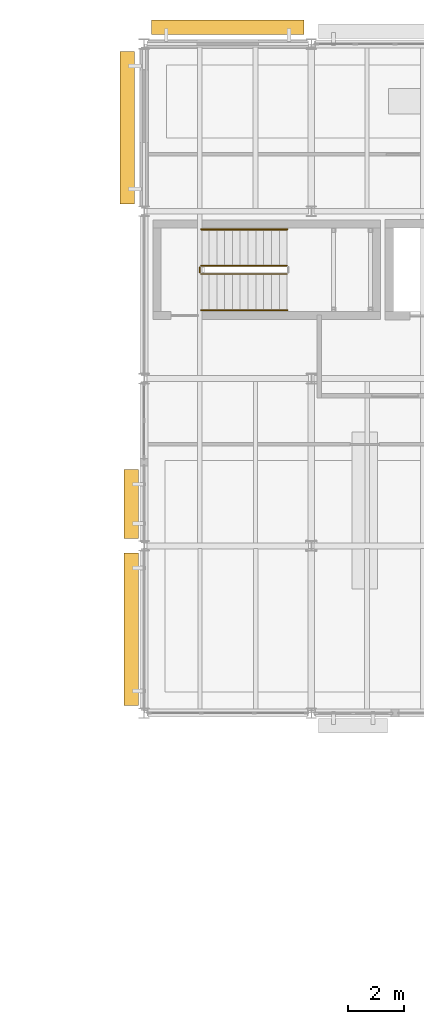
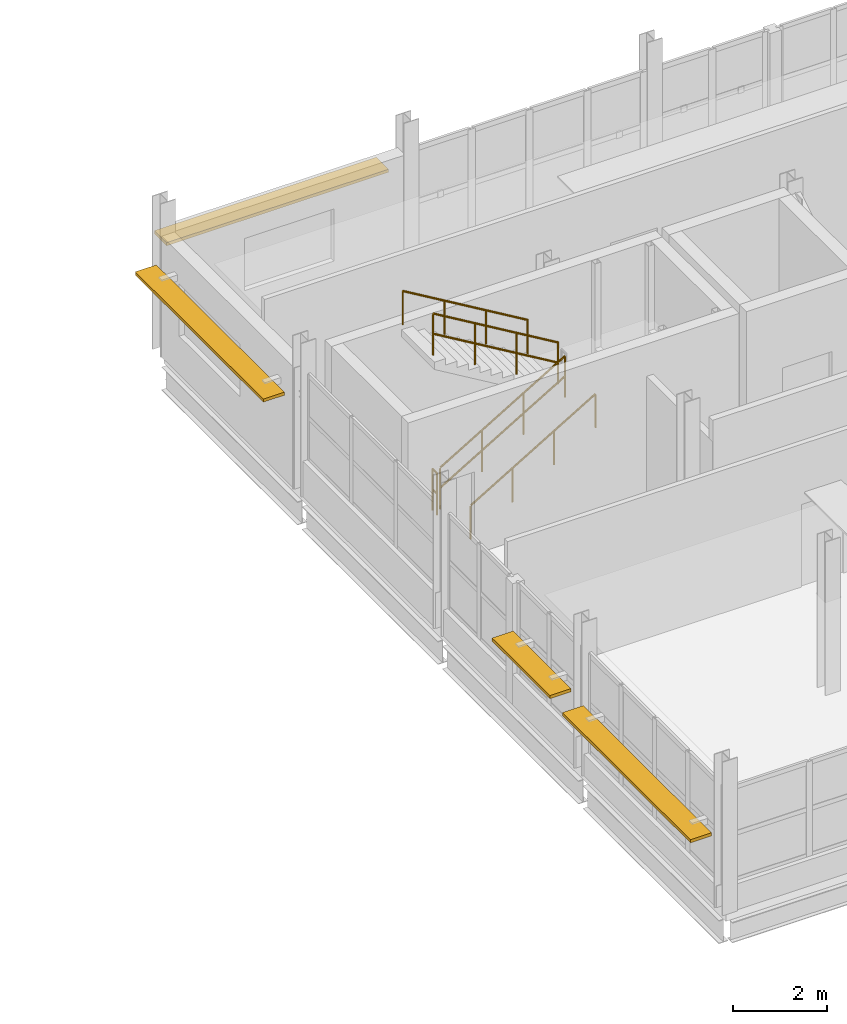
# One storey, part 89 of 92: 5 railings, 4 shading devices.
"""IFC4 building model written with IfcOpenShell, lengths in metres."""

import ifcopenshell
import ifcopenshell.guid

model = None  # the IFC model being written
_history = None  # IfcOwnerHistory: only IFC2X3 demands one
_inside = {}  # id of a spatial element -> (the spatial element, [elements in it])
_under = {}  # id of a project, library or spatial element -> (it, [spatial elements below it])
_declared = {}  # id of a project -> (the project, [libraries it declares])
_typed = {}  # id of a type object -> (the type object, [elements of that type])
_made_of = {}  # id of a material, layer set ... -> (it, [elements and type objects made of it])


def new_model(schema):
    """Start an empty IFC model of exactly this schema.

    Asked for "IFC4X3", IfcOpenShell would pick the latest addendum, in which some entities
    have other attributes; the version numbers below select the first issue.
    IFC2X3 requires an IfcOwnerHistory on every rooted entity: one is made here for all.
    """
    global model, _history
    if schema == "IFC4X3":
        model = ifcopenshell.file(schema_version=(4, 3, 0, 0))
    else:
        model = ifcopenshell.file(schema=schema)
    _inside.clear()
    _under.clear()
    _declared.clear()
    _typed.clear()
    _made_of.clear()
    _history = None
    if model.schema == "IFC2X3":
        org = make("IfcOrganization", Name="unknown")
        user = make(
            "IfcPersonAndOrganization",
            ThePerson=make("IfcPerson", FamilyName="unknown"),
            TheOrganization=org,
        )
        app = make(
            "IfcApplication",
            ApplicationDeveloper=org,
            Version="unknown",
            ApplicationFullName="unknown",
            ApplicationIdentifier="unknown",
        )
        _history = make(
            "IfcOwnerHistory",
            OwningUser=user,
            OwningApplication=app,
            ChangeAction="ADDED",
            CreationDate=0,
        )
    return model


def make(cls, **values):
    """One entity of the class cls with the attributes given. An attribute that is None is left unset."""
    return model.create_entity(
        cls, **{name: value for name, value in values.items() if value is not None}
    )


def rooted(cls, **values):
    """An entity with a GlobalId (a new one), such as an element, a storey or a relation."""
    return make(cls, GlobalId=ifcopenshell.guid.new(), OwnerHistory=_history, **values)


def si_unit(unit_type, name, prefix=None):
    """IfcSIUnit, for example si_unit("LENGTHUNIT", "METRE", prefix="MILLI")."""
    return make("IfcSIUnit", UnitType=unit_type, Prefix=prefix, Name=name)


def assignment(units):
    """IfcUnitAssignment: the units of a project."""
    return None if units is None else make("IfcUnitAssignment", Units=units)


def point(xyz):
    """IfcCartesianPoint."""
    return None if xyz is None else make("IfcCartesianPoint", Coordinates=xyz)


def direction(xyz):
    """IfcDirection."""
    return None if xyz is None else make("IfcDirection", DirectionRatios=xyz)


def frame(location, z_axis=None, x_axis=None):
    """IfcAxis2Placement3D, a coordinate frame: its origin and axes. An axis left out is left unset."""
    return make(
        "IfcAxis2Placement3D",
        Location=point(location),
        Axis=direction(z_axis),
        RefDirection=direction(x_axis),
    )


def frame_2d(location, x_axis=None):
    """IfcAxis2Placement2D, a coordinate frame in the plane: its origin and x axis."""
    return make(
        "IfcAxis2Placement2D", Location=point(location), RefDirection=direction(x_axis)
    )


def origin():
    """The frame at (0, 0, 0) with its axes left unset."""
    return frame((0.0, 0.0, 0.0))


def origin_2d():
    """The frame at (0, 0) in the plane with its x axis left unset."""
    return frame_2d((0.0, 0.0))


def place(relative_to, where):
    """IfcLocalPlacement: puts the frame where relative to a parent placement (None: the world)."""
    return make(
        "IfcLocalPlacement", PlacementRelTo=relative_to, RelativePlacement=where
    )


def context(
    kind, dimensions, precision=None, world=None, true_north=None, identifier=None
):
    """IfcGeometricRepresentationContext, for example the 3D "Model" context."""
    return make(
        "IfcGeometricRepresentationContext",
        ContextIdentifier=identifier,
        ContextType=kind,
        CoordinateSpaceDimension=dimensions,
        Precision=precision,
        WorldCoordinateSystem=world,
        TrueNorth=true_north,
    )


def subcontext(parent, identifier, kind, view, scale=None):
    """IfcGeometricRepresentationSubContext, for example "Body" below "Model"."""
    return make(
        "IfcGeometricRepresentationSubContext",
        ContextIdentifier=identifier,
        ContextType=kind,
        ParentContext=parent,
        TargetScale=scale,
        TargetView=view,
    )


def project(units=None, contexts=None):
    """IfcProject with its units and contexts."""
    return rooted(
        "IfcProject",
        Name="project",
        RepresentationContexts=contexts,
        UnitsInContext=assignment(units),
    )


def spatial(cls, under=None, at=None, **own):
    """A site, building, storey or space (cls), placed at a placement, below another one or the project."""
    s = rooted(cls, ObjectPlacement=at, **own)
    if under is not None:
        _under.setdefault(under.id(), (under, []))[1].append(s)
    return s


def profile(cls, at=None, kind="AREA", **sizes):
    """A parametric profile (cls). Its sizes go by their IFC names, for example OverallWidth=200.0."""
    return make(cls, ProfileType=kind, Position=at, **sizes)


def rectangle(**sizes):
    """IfcRectangleProfileDef."""
    return profile("IfcRectangleProfileDef", **sizes)


def circle(**sizes):
    """IfcCircleProfileDef."""
    return profile("IfcCircleProfileDef", **sizes)


def extrude(swept, where, along, depth):
    """IfcExtrudedAreaSolid: the profile swept, set in the frame where, extruded along a direction by depth."""
    return make(
        "IfcExtrudedAreaSolid",
        SweptArea=swept,
        Position=where,
        ExtrudedDirection=direction(along),
        Depth=depth,
    )


def shape(context_of_items, identifier, shape_type, items):
    """IfcShapeRepresentation: the items that make up one representation, for example the "Body"."""
    return make(
        "IfcShapeRepresentation",
        ContextOfItems=context_of_items,
        RepresentationIdentifier=identifier,
        RepresentationType=shape_type,
        Items=items,
    )


def material(Name=None, Category=None):
    """IfcMaterial."""
    return make("IfcMaterial", Name=Name, Category=Category)


def layer(
    of_material, thickness, ventilated=None, Name=None, Category=None, Priority=None
):
    """IfcMaterialLayer: one layer of a wall or slab, of a material (None: an air gap)."""
    return make(
        "IfcMaterialLayer",
        Material=of_material,
        LayerThickness=thickness,
        IsVentilated=ventilated,
        Name=Name,
        Category=Category,
        Priority=Priority,
    )


def layer_set(layers, Name=None):
    """IfcMaterialLayerSet."""
    return make("IfcMaterialLayerSet", MaterialLayers=layers, LayerSetName=Name)


def made_of(thing, what):
    """Note that an element or type object is made of a material, layer set ...; save() writes the relation."""
    if what is not None:
        _made_of.setdefault(what.id(), (what, []))[1].append(thing)
    return thing


def type_object(cls, material=None, **own):
    """A type object (cls), such as IfcWallType, which elements share."""
    return made_of(rooted(cls, **own), material)


def element(
    cls,
    number,
    at=None,
    inside=None,
    cuts=None,
    type_object=None,
    material=None,
    context=None,
    identifier="Body",
    shape_type=None,
    held_by="IfcProductDefinitionShape",
    body=None,
    shapes=None,
    **own,
):
    """One element of the class cls, such as IfcWall. Its Tag is "e" and its number.

    at: its placement. inside: the storey or other place that contains it. cuts: it is an
    opening in that element (IfcRelVoidsElement). A single representation is given by context,
    identifier, shape_type and body (its items); several are given by shapes. held_by: the class
    of the entity that holds the representations. save() writes the other relations.
    """
    e = rooted(cls, Tag="e%d" % number, ObjectPlacement=at, **own)
    if body is not None:
        shapes = [shape(context, identifier, shape_type, body)]
    if shapes is not None:
        e.Representation = make(held_by, Representations=shapes)
    if inside is not None:
        _inside.setdefault(inside.id(), (inside, []))[1].append(e)
    if cuts is not None:
        rooted(
            "IfcRelVoidsElement", RelatingBuildingElement=cuts, RelatedOpeningElement=e
        )
    if type_object is not None:
        _typed.setdefault(type_object.id(), (type_object, []))[1].append(e)
    return made_of(e, material)


def aggregate(whole, parts):
    """IfcRelAggregates: a whole, such as a stair, and the parts it consists of."""
    return rooted("IfcRelAggregates", RelatingObject=whole, RelatedObjects=parts)


def save(model, path):
    """Write the relations noted so far, then the file.

    IfcRelAggregates (storeys below a building ...), IfcRelContainedInSpatialStructure (elements
    in a storey), IfcRelDefinesByType, IfcRelAssociatesMaterial and IfcRelDeclares: one each for
    every whole, place, type object, material and project.
    """
    for whole, parts in _under.values():
        aggregate(whole, parts)
    for where, things in _inside.values():
        rooted(
            "IfcRelContainedInSpatialStructure",
            RelatedElements=things,
            RelatingStructure=where,
        )
    for kind, things in _typed.values():
        rooted("IfcRelDefinesByType", RelatedObjects=things, RelatingType=kind)
    for what, things in _made_of.values():
        rooted("IfcRelAssociatesMaterial", RelatedObjects=things, RelatingMaterial=what)
    for by, libraries in _declared.values():
        rooted("IfcRelDeclares", RelatingContext=by, RelatedDefinitions=libraries)
    model.write(path)


model = new_model("IFC4")

# Units and contexts
model_context = context("Model", 3, precision=1e-05, world=origin(), true_north=direction((0.0, 1.0)))
body_context = subcontext(model_context, "Body", "Model", "MODEL_VIEW")
ifc_project = project(units=[si_unit("LENGTHUNIT", "METRE"), si_unit("AREAUNIT", "SQUARE_METRE"), si_unit("VOLUMEUNIT", "CUBIC_METRE"), si_unit("PLANEANGLEUNIT", "RADIAN"), si_unit("MASSUNIT", "GRAM", prefix="KILO")], contexts=[model_context])

# Site, building, storey
site_placement = place(None, origin())
site = spatial("IfcSite", under=ifc_project, at=site_placement, CompositionType="ELEMENT")
building_placement = place(site_placement, origin())
building = spatial("IfcBuilding", under=site, at=building_placement, Name="Siltcreek Boulevard Central Fire Station", CompositionType="ELEMENT")
storey_placement = place(building_placement, frame((0.0, 0.0, 6.0)))
storey = spatial("IfcBuildingStorey", under=building, at=storey_placement, Name="L02", CompositionType="ELEMENT", Elevation=6.0)

# Railings
ifc_material_1 = material(Name="Painted galvanized steel stair guard", Category="steel")
railing_type_1 = type_object("IfcRailingType", Name="RL_ST_GUARD", PredefinedType="BALUSTRADE", material=ifc_material_1)
railing_1_placement = place(storey_placement, frame((126.25, 103.949951171875, 0.166748046875)))
element("IfcRailing", 1, at=railing_1_placement, inside=storey, type_object=railing_type_1, Name="L02 ST-V5A stair guard 1", PredefinedType="BALUSTRADE", context=body_context, shape_type="SweptSolid", body=[
    extrude(circle(Radius=0.02392578125, at=origin_2d()), frame((0.0, 0.0, 1.076171875), z_axis=(0.859308565015, 0.0, 0.511457515432), x_axis=(0.0, 1.0, 0.0)), (0.0, 0.0, 1.0), 3.58447265625),
    extrude(circle(Radius=0.02392578125, at=origin_2d()), frame((0.0, 0.0, 0.550048828125), z_axis=(0.859308565015, 0.0, 0.511457515432), x_axis=(0.0, 1.0, 0.0)), (0.0, 0.0, 1.0), 3.58447265625),
    extrude(circle(Radius=0.02099609375, at=origin_2d()), origin(), (0.0, 0.0, 1.0), 1.052001953125),
    extrude(circle(Radius=0.02099609375, at=origin_2d()), frame((1.026611328125, 0.0, 0.611083984375)), (0.0, 0.0, 1.0), 1.052001953125),
    extrude(circle(Radius=0.02099609375, at=origin_2d()), frame((2.053466796875, 0.0, 1.22216796875)), (0.0, 0.0, 1.0), 1.052001953125),
    extrude(circle(Radius=0.02099609375, at=origin_2d()), frame((3.080078125, 0.0, 1.833251953125)), (0.0, 0.0, 1.0), 1.052001953125),
])
railing_2_placement = place(storey_placement, frame((129.330078125, 104.25, 2.166748046875)))
element("IfcRailing", 2, at=railing_2_placement, inside=storey, type_object=railing_type_1, Name="L02 ST-V5A stair guard 3", PredefinedType="BALUSTRADE", context=body_context, shape_type="SweptSolid", body=[
    extrude(circle(Radius=0.02392578125, at=origin_2d()), frame((0.0, 0.0, 1.076171875), z_axis=(-0.859308565015, 0.0, 0.511457515432), x_axis=(0.0, -1.0, 0.0)), (0.0, 0.0, 1.0), 3.58447265625),
    extrude(circle(Radius=0.02392578125, at=origin_2d()), frame((0.0, 0.0, 0.550048828125), z_axis=(-0.859308565015, 0.0, 0.511457515432), x_axis=(0.0, -1.0, 0.0)), (0.0, 0.0, 1.0), 3.58447265625),
    extrude(circle(Radius=0.02099609375, at=origin_2d()), origin(), (0.0, 0.0, 1.0), 1.052001953125),
    extrude(circle(Radius=0.02099609375, at=origin_2d()), frame((-1.026611328125, 0.0, 0.611083984375)), (0.0, 0.0, 1.0), 1.052001953125),
    extrude(circle(Radius=0.02099609375, at=origin_2d()), frame((-2.053466796875, 0.0, 1.22216796875)), (0.0, 0.0, 1.0), 1.052001953125),
    extrude(circle(Radius=0.02099609375, at=origin_2d()), frame((-3.080078125, 0.0, 1.833251953125)), (0.0, 0.0, 1.0), 1.052001953125),
])
railing_3_placement = place(storey_placement, frame((126.199951171875, 104.0, 0.0)))
element("IfcRailing", 3, at=railing_3_placement, inside=storey, type_object=railing_type_1, Name="L02 ST-V5A stair guard 4", PredefinedType="BALUSTRADE", context=body_context, shape_type="SweptSolid", body=[
    extrude(circle(Radius=0.02392578125, at=origin_2d()), frame((0.0, 0.0, 1.076171875), z_axis=(0.0, 1.0, 0.0), x_axis=(-1.0, 0.0, 0.0)), (0.0, 0.0, 1.0), 0.199951171875),
    extrude(circle(Radius=0.02392578125, at=origin_2d()), frame((0.0, 0.0, 0.550048828125), z_axis=(0.0, 1.0, 0.0), x_axis=(-1.0, 0.0, 0.0)), (0.0, 0.0, 1.0), 0.199951171875),
    extrude(circle(Radius=0.02099609375, at=origin_2d()), origin(), (0.0, 0.0, 1.0), 1.052001953125),
    extrude(circle(Radius=0.02099609375, at=origin_2d()), frame((0.0, 0.199951171875, 0.0)), (0.0, 0.0, 1.0), 1.052001953125),
])
ifc_material_2 = material(Name="Brushed stainless steel stair handrail", Category="steel")
railing_type_2 = type_object("IfcRailingType", Name="RL_ST_HAND", PredefinedType="HANDRAIL", material=ifc_material_2)
railing_4_placement = place(storey_placement, frame((126.25, 102.64990234375, 0.166748046875)))
element("IfcRailing", 4, at=railing_4_placement, inside=storey, type_object=railing_type_2, Name="L02 ST-V5A stair handrail 1", PredefinedType="HANDRAIL", context=body_context, shape_type="SweptSolid", body=[
    extrude(circle(Radius=0.02392578125, at=origin_2d()), frame((0.0, 0.0, 0.8759765625), z_axis=(0.859308565015, 0.0, 0.511457515432), x_axis=(0.0, 1.0, 0.0)), (0.0, 0.0, 1.0), 3.58447265625),
    extrude(circle(Radius=0.02099609375, at=origin_2d()), origin(), (0.0, 0.0, 1.0), 0.851806640625),
    extrude(circle(Radius=0.02099609375, at=origin_2d()), frame((1.026611328125, 0.0, 0.611083984375)), (0.0, 0.0, 1.0), 0.851806640625),
    extrude(circle(Radius=0.02099609375, at=origin_2d()), frame((2.053466796875, 0.0, 1.22216796875)), (0.0, 0.0, 1.0), 0.851806640625),
    extrude(circle(Radius=0.02099609375, at=origin_2d()), frame((3.080078125, 0.0, 1.833251953125)), (0.0, 0.0, 1.0), 0.851806640625),
])
railing_5_placement = place(storey_placement, frame((129.330078125, 105.550048828125, 2.166748046875)))
element("IfcRailing", 5, at=railing_5_placement, inside=storey, type_object=railing_type_2, Name="L02 ST-V5A stair handrail 2", PredefinedType="HANDRAIL", context=body_context, shape_type="SweptSolid", body=[
    extrude(circle(Radius=0.02392578125, at=origin_2d()), frame((0.0, 0.0, 0.8759765625), z_axis=(-0.859308565015, 0.0, 0.511457515432), x_axis=(0.0, -1.0, 0.0)), (0.0, 0.0, 1.0), 3.58447265625),
    extrude(circle(Radius=0.02099609375, at=origin_2d()), origin(), (0.0, 0.0, 1.0), 0.851806640625),
    extrude(circle(Radius=0.02099609375, at=origin_2d()), frame((-1.026611328125, 0.0, 0.611083984375)), (0.0, 0.0, 1.0), 0.851806640625),
    extrude(circle(Radius=0.02099609375, at=origin_2d()), frame((-2.053466796875, 0.0, 1.22216796875)), (0.0, 0.0, 1.0), 0.851806640625),
    extrude(circle(Radius=0.02099609375, at=origin_2d()), frame((-3.080078125, 0.0, 1.833251953125)), (0.0, 0.0, 1.0), 0.851806640625),
])

# Shading devices
ifc_material_3 = material(Name="Frey sage-green anodized tubular aluminum sunshade", Category="aluminium")
ifc_layer = layer(ifc_material_3, 0.080078125, Name="Frey sage-green anodized tubular aluminum sunshade")
ifc_layer_set = layer_set([ifc_layer], Name="Frey sage-green anodized tubular aluminum sunshade")
shading_device_type = type_object("IfcShadingDeviceType", Name="SHD_BRISE", PredefinedType="USERDEFINED", material=ifc_layer_set)
for number, where, z_axis, x_axis, name in (
    (6, (127.199951171875, 112.800048828125, 2.43994140625), (0.0, 0.0, 1.0), (-1.0, 0.0, 0.0), "Anodized tubular aluminum brise-soleil SS-100"),
    (7, (123.739990234375, 91.199951171875, 1.818359375), (0.0, 0.0, 1.0), (0.0, -1.0, 0.0), "Anodized tubular aluminum brise-soleil SS-106"),
):
    element("IfcShadingDevice", number, at=place(storey_placement, frame(where, z_axis=z_axis, x_axis=x_axis)), inside=storey, type_object=shading_device_type, Name=name, ObjectType="SUNSHADE", PredefinedType="USERDEFINED", context=body_context, shape_type="SweptSolid", body=[
        extrude(rectangle(XDim=5.469970703125, YDim=0.52001953125, at=origin_2d()), origin(), (0.0, 0.0, 1.0), 0.080078125),
    ])
shading_device_1_placement = place(storey_placement, frame((123.739990234375, 95.702392578125, 1.9384765625), z_axis=(0.0, 0.0, 1.0), x_axis=(0.0, -1.0, 0.0)))
element("IfcShadingDevice", 8, at=shading_device_1_placement, inside=storey, type_object=shading_device_type, Name="Anodized tubular aluminum brise-soleil SS-107", ObjectType="SUNSHADE", PredefinedType="USERDEFINED", context=body_context, shape_type="SweptSolid", body=[
    extrude(rectangle(XDim=2.47509765625, YDim=0.52001953125, at=origin_2d()), origin(), (0.0, 0.0, 1.0), 0.080078125),
])
shading_device_2_placement = place(storey_placement, frame((123.60009765625, 109.199951171875, 2.43994140625), z_axis=(0.0, 0.0, 1.0), x_axis=(0.0, -1.0, 0.0)))
element("IfcShadingDevice", 9, at=shading_device_2_placement, inside=storey, type_object=shading_device_type, Name="Anodized tubular aluminum brise-soleil SS-108", ObjectType="SUNSHADE", PredefinedType="USERDEFINED", context=body_context, shape_type="SweptSolid", body=[
    extrude(rectangle(XDim=5.469970703125, YDim=0.52001953125, at=origin_2d()), origin(), (0.0, 0.0, 1.0), 0.080078125),
])

save(model, "model.ifc")
